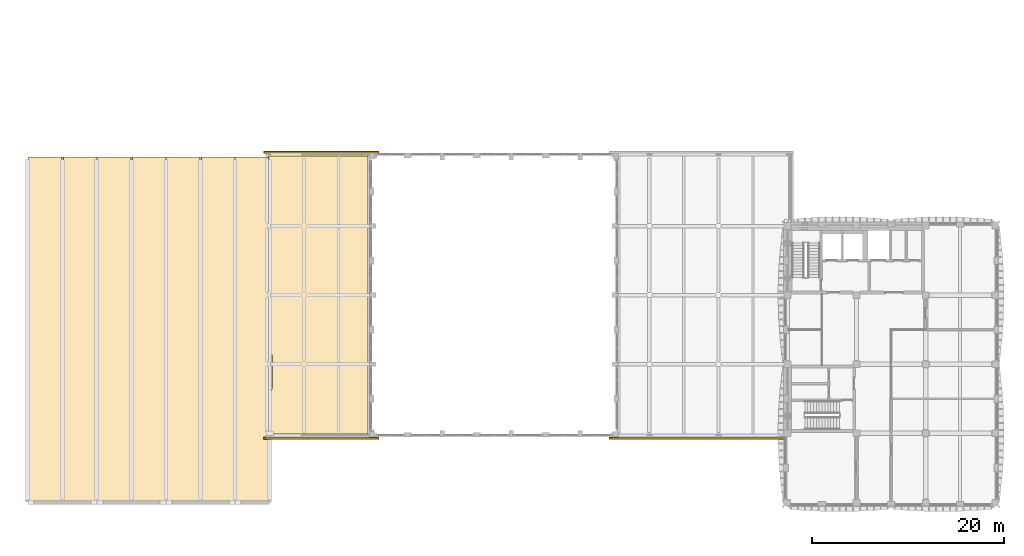
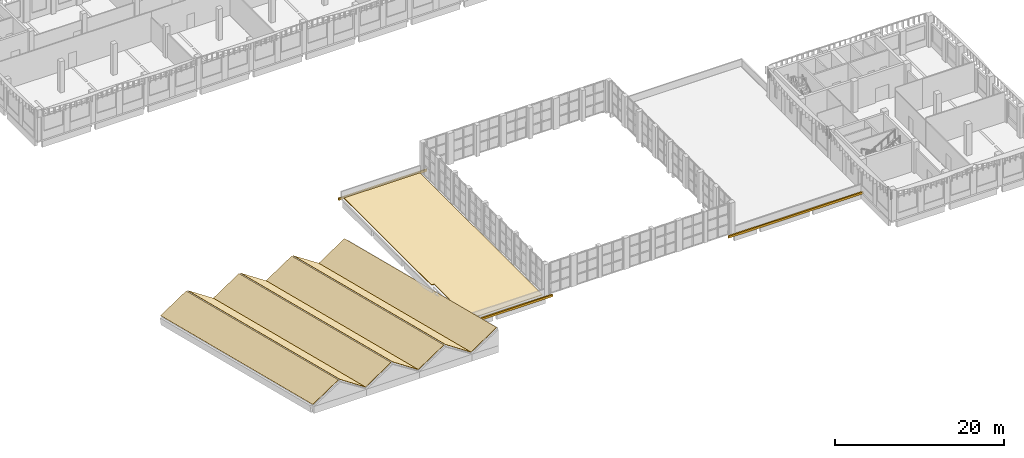
# One storey, part 23 of 44: 11 coverings.
"""IFC4 building model written with IfcOpenShell, lengths in metres."""

from ifc_helpers import new_model, si_unit, direction, frame, origin, origin_2d, place, context, subcontext, project, spatial, polyline, rectangle, outline, extrude, material, layer, layer_set, type_object, element, save


model = new_model("IFC4")

# Units and contexts
model_context = context("Model", 3, precision=1e-05, world=origin(), true_north=direction((0.0, 1.0)))
body_context = subcontext(model_context, "Body", "Model", "MODEL_VIEW")
ifc_project = project(units=[si_unit("LENGTHUNIT", "METRE"), si_unit("AREAUNIT", "SQUARE_METRE"), si_unit("VOLUMEUNIT", "CUBIC_METRE"), si_unit("PLANEANGLEUNIT", "RADIAN"), si_unit("MASSUNIT", "GRAM", prefix="KILO")], contexts=[model_context])

# Site, building, storey
site_placement = place(None, origin())
site = spatial("IfcSite", under=ifc_project, at=site_placement, CompositionType="ELEMENT")
building_placement = place(site_placement, origin())
building = spatial("IfcBuilding", under=site, at=building_placement, Name="Ussher Court Research Institute", CompositionType="ELEMENT")
storey_placement = place(building_placement, frame((0.0, 0.0, 18.89990234375)))
storey = spatial("IfcBuildingStorey", under=building, at=storey_placement, Name="L04", CompositionType="ELEMENT", Elevation=18.89990234375)

# Coverings
ifc_material_1 = material(Name="Limestone cornice", Category="masonry")
covering_type_1 = type_object("IfcCoveringType", Name="Cornice band 200x300", PredefinedType="CLADDING", material=ifc_material_1)
covering_1_placement = place(storey_placement, frame((72.800048828125, 10.699951171875, -0.2998046875), z_axis=(0.0, 0.0, 1.0), x_axis=(1.0, 0.0, 0.0)))
element("IfcCovering", 1, at=covering_1_placement, inside=storey, type_object=covering_type_1, Name="Cornice CC3", PredefinedType="CLADDING", context=body_context, shape_type="SweptSolid", body=[
    extrude(rectangle(XDim=18.39990234375, YDim=0.199951171875, at=origin_2d()), origin(), (0.0, 0.0, 1.0), 0.300048828125),
])
for number, where, z_axis, x_axis, name in (
    (2, (33.60009765625, 40.5, -0.2998046875), (0.0, 0.0, 1.0), (-1.0, 0.0, 0.0), "Cornice CC3"),
    (3, (33.60009765625, 10.699951171875, -0.2998046875), (0.0, 0.0, 1.0), (1.0, 0.0, 0.0), "Cornice CC3"),
):
    element("IfcCovering", number, at=place(storey_placement, frame(where, z_axis=z_axis, x_axis=x_axis)), inside=storey, type_object=covering_type_1, Name=name, PredefinedType="CLADDING", context=body_context, shape_type="SweptSolid", body=[
        extrude(rectangle(XDim=12.0, YDim=0.199951171875, at=origin_2d()), origin(), (0.0, 0.0, 1.0), 0.300048828125),
    ])
ifc_material_2 = material(Name="Bituminous membrane with gravel ballast")
ifc_layer_1 = layer(ifc_material_2, 0.080078125)
ifc_layer_set_1 = layer_set([ifc_layer_1], Name="Bituminous membrane with gravel ballast")
covering_type_2 = type_object("IfcCoveringType", Name="Flat roof membrane and ballast 80", PredefinedType="ROOFING", material=ifc_layer_set_1)
covering_2_placement = place(storey_placement, origin())
element("IfcCovering", 4, at=covering_2_placement, inside=storey, type_object=covering_type_2, Name="Roof covering RC3 V7", PredefinedType="ROOFING", context=body_context, shape_type="SweptSolid", body=[
    extrude(outline(polyline([(28.10009765625, 19.439697265625), (28.10009765625, 40.10009765625), (38.47509765625, 40.10009765625), (38.47509765625, 11.10009765625), (28.10009765625, 11.10009765625), (28.10009765625, 14.878662109375), (28.490234375, 15.9189453125), (28.490234375, 19.36962890625), (28.10009765625, 19.439697265625)])), origin(), (0.0, 0.0, 1.0), 0.080078125),
])
ifc_material_3 = material(Name="White reflective membrane")
ifc_layer_2 = layer(ifc_material_3, 0.0400390625)
ifc_layer_set_2 = layer_set([ifc_layer_2], Name="White reflective membrane")
covering_type_3 = type_object("IfcCoveringType", Name="White membrane covering on folded plate 40", PredefinedType="ROOFING", material=ifc_layer_set_2)
covering_3_placement = place(storey_placement, frame((3.0, 4.0, 0.94921875), z_axis=(-0.543075386642, 0.203653269991, 0.814613079963), x_axis=(0.0, 0.970142500145, -0.242535625036)))
element("IfcCovering", 5, at=covering_3_placement, inside=storey, type_object=covering_type_3, Name="Roof covering RC2 V1", PredefinedType="ROOFING", context=body_context, shape_type="SweptSolid", body=[
    extrude(outline(polyline([(0.0, 0.0), (37.107950630558946, 0.0), (36.54199469694145, -4.168525751957075), (-0.5659559336174976, -4.168525751957075), (0.0, 0.0)])), origin(), (0.0, 0.0, -1.0), 0.0400390625),
])
covering_4_placement = place(storey_placement, frame((10.199951171875, 4.0, 0.94921875), z_axis=(0.543075386642, 0.203653269991, 0.814613079963), x_axis=(0.0, 0.970142500145, -0.242535625036)))
element("IfcCovering", 6, at=covering_4_placement, inside=storey, type_object=covering_type_3, Name="Roof covering RC2 V1", PredefinedType="ROOFING", context=body_context, shape_type="SweptSolid", body=[
    extrude(outline(polyline([(0.0, 0.0), (37.107950630558946, 0.0), (36.54199469694145, 4.168525751957075), (-0.5659559336174976, 4.168525751957075), (0.0, 0.0)])), origin(), (0.0, 0.0, -1.0), 0.0400390625),
])
covering_5_placement = place(storey_placement, frame((10.199951171875, 4.0, 0.94921875), z_axis=(-0.543075386642, 0.203653269991, 0.814613079963), x_axis=(0.0, 0.970142500145, -0.242535625036)))
element("IfcCovering", 7, at=covering_5_placement, inside=storey, type_object=covering_type_3, Name="Roof covering RC2 V1", PredefinedType="ROOFING", context=body_context, shape_type="SweptSolid", body=[
    extrude(outline(polyline([(0.0, 0.0), (37.107950630558946, 0.0), (36.54199469694145, -4.168525751957075), (-0.5659559336174976, -4.168525751957075), (0.0, 0.0)])), origin(), (0.0, 0.0, -1.0), 0.0400390625),
])
covering_6_placement = place(storey_placement, frame((17.39990234375, 4.0, 0.94921875), z_axis=(0.543102095199, 0.203649080267, 0.814596321068), x_axis=(0.0, 0.970142500145, -0.242535625036)))
element("IfcCovering", 8, at=covering_6_placement, inside=storey, type_object=covering_type_3, Name="Roof covering RC2 V1", PredefinedType="ROOFING", context=body_context, shape_type="SweptSolid", body=[
    extrude(outline(polyline([(0.0, 0.0), (37.107950630558946, 0.0), (36.54199469694145, 4.1683207531030595), (-0.5659559336174976, 4.1683207531030595), (0.0, 0.0)])), origin(), (0.0, 0.0, -1.0), 0.0400390625),
])
covering_7_placement = place(storey_placement, frame((17.39990234375, 4.0, 0.94921875), z_axis=(-0.543075386642, 0.203653269991, 0.814613079963), x_axis=(0.0, 0.970142500145, -0.242535625036)))
element("IfcCovering", 9, at=covering_7_placement, inside=storey, type_object=covering_type_3, Name="Roof covering RC2 V1", PredefinedType="ROOFING", context=body_context, shape_type="SweptSolid", body=[
    extrude(outline(polyline([(0.0, 0.0), (37.107950630558946, 0.0), (36.54199469694145, -4.168525751957075), (-0.5659559336174976, -4.168525751957075), (0.0, 0.0)])), origin(), (0.0, 0.0, -1.0), 0.0400390625),
])
covering_8_placement = place(storey_placement, frame((24.60009765625, 4.0, 0.94921875), z_axis=(0.543075386642, 0.203653269991, 0.814613079963), x_axis=(0.0, 0.970142500145, -0.242535625036)))
element("IfcCovering", 10, at=covering_8_placement, inside=storey, type_object=covering_type_3, Name="Roof covering RC2 V1", PredefinedType="ROOFING", context=body_context, shape_type="SweptSolid", body=[
    extrude(outline(polyline([(0.0, 0.0), (37.107950630558946, 0.0), (36.54199469694145, 4.168525751957075), (-0.5659559336174976, 4.168525751957075), (0.0, 0.0)])), origin(), (0.0, 0.0, -1.0), 0.0400390625),
])
covering_9_placement = place(storey_placement, frame((24.60009765625, 4.0, 0.94921875), z_axis=(-0.543102095199, 0.203649080267, 0.814596321068), x_axis=(0.0, 0.970142500145, -0.242535625036)))
element("IfcCovering", 11, at=covering_9_placement, inside=storey, type_object=covering_type_3, Name="Roof covering RC2 V1", PredefinedType="ROOFING", context=body_context, shape_type="SweptSolid", body=[
    extrude(outline(polyline([(0.0, 0.0), (37.107950630558946, 0.0), (36.54199469694145, -4.1683207531030595), (-0.5659559336174976, -4.1683207531030595), (0.0, 0.0)])), origin(), (0.0, 0.0, -1.0), 0.0400390625),
])

save(model, "model.ifc")
